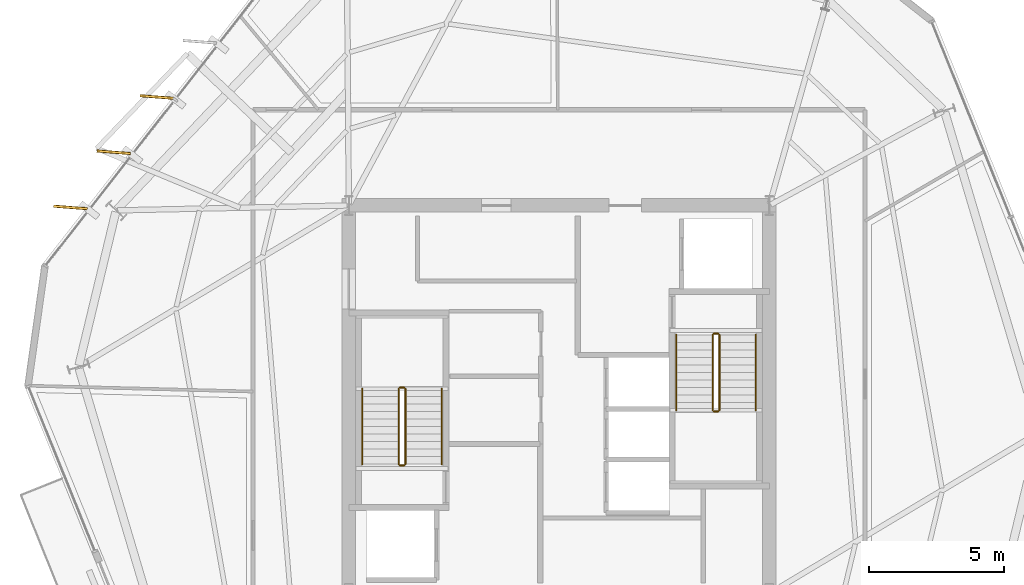
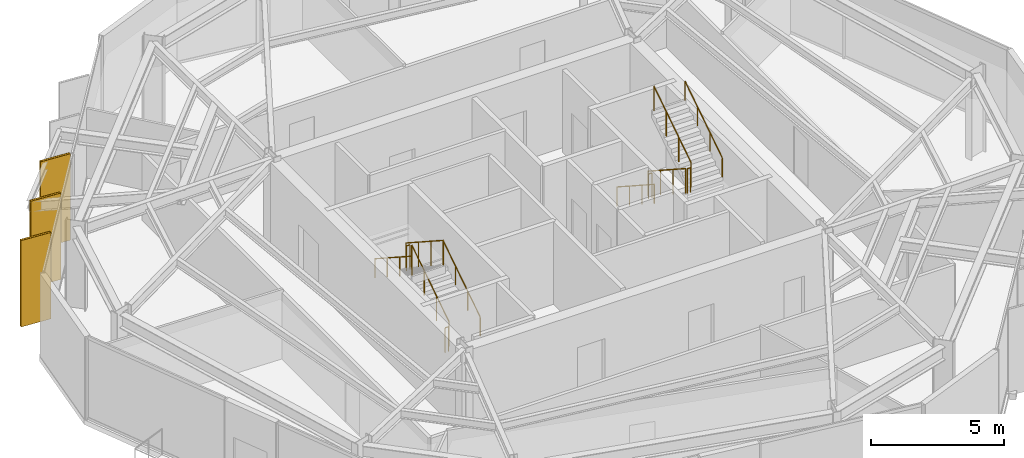
# One storey, part 10 of 11: 12 railings, 3 coverings, 3 shading devices.
"""IFC4 building model written with IfcOpenShell, lengths in metres."""

from ifc_helpers import new_model, si_unit, direction, frame, origin, origin_2d, place, context, subcontext, project, spatial, rectangle, circle, extrude, material, layer, layer_set, type_object, element, save


model = new_model("IFC4")

# Units and contexts
model_context = context("Model", 3, precision=1e-05, world=origin(), true_north=direction((0.0, 1.0)))
body_context = subcontext(model_context, "Body", "Model", "MODEL_VIEW")
ifc_project = project(units=[si_unit("LENGTHUNIT", "METRE"), si_unit("AREAUNIT", "SQUARE_METRE"), si_unit("VOLUMEUNIT", "CUBIC_METRE"), si_unit("PLANEANGLEUNIT", "RADIAN"), si_unit("MASSUNIT", "GRAM", prefix="KILO")], contexts=[model_context])

# Site, building, storey
site_placement = place(None, origin())
site = spatial("IfcSite", under=ifc_project, at=site_placement, CompositionType="ELEMENT")
building_placement = place(site_placement, origin())
building = spatial("IfcBuilding", under=site, at=building_placement, Name="Kranzbogen Civic Tower", CompositionType="ELEMENT")
storey_placement = place(building_placement, frame((0.0, 0.0, 232.800048828125)))
storey = spatial("IfcBuildingStorey", under=building, at=storey_placement, Name="L56", CompositionType="ELEMENT", Elevation=232.800048828125)

# Coverings
ifc_material_1 = material(Name="Pale Anodised Aluminium", Category="aluminium")
ifc_layer = layer(ifc_material_1, 0.02490234375, Name="Pale Anodised Aluminium")
ifc_layer_set = layer_set([ifc_layer], Name="Pale Anodised Aluminium")
covering_type = type_object("IfcCoveringType", Name="Anodised Aluminium Vertical Fin Cladding 25 mm", PredefinedType="CLADDING", material=ifc_layer_set)
for number, where, z_axis, x_axis, name in (
    (1, (10.074951171875, 36.222900390625, -0.14013671875), (0.0, 0.0, 1.0), (-0.996963716769, 0.077867499294, 0.0), "L56 vertical fin pale-metal cladding F2-3"),
    (2, (8.47412109375, 34.174072265625, -0.14013671875), (0.0, 0.0, 1.0), (-0.996963716769, 0.077867499294, 0.0), "L56 vertical fin pale-metal cladding F2-4"),
    (3, (6.873046875, 32.125, -0.14013671875), (0.0, 0.0, 1.0), (-0.996963716769, 0.077867499294, 0.0), "L56 vertical fin pale-metal cladding F2-5"),
):
    element("IfcCovering", number, at=place(storey_placement, frame(where, z_axis=z_axis, x_axis=x_axis)), inside=storey, type_object=covering_type, Name=name, PredefinedType="CLADDING", context=body_context, shape_type="SweptSolid", body=[
        extrude(rectangle(XDim=1.25, YDim=0.10009765625, at=origin_2d()), origin(), (0.0, 0.0, 1.0), 3.9599609375),
    ])

# Shading devices
ifc_material_2 = material(Name="Anodised Bronze Aluminium", Category="aluminium")
shading_device_type = type_object("IfcShadingDeviceType", Name="Anodised Bronze Vertical Facade Fin 1250x80", PredefinedType="USERDEFINED", material=ifc_material_2)
for number, where, z_axis, x_axis, name in (
    (4, (10.074951171875, 36.222900390625, -0.14013671875), (0.0, 0.0, 1.0), (-0.996963716769, 0.077867499294, 0.0), "L56 vertical exterior shading fin F2-3"),
    (5, (8.47412109375, 34.174072265625, -0.14013671875), (0.0, 0.0, 1.0), (-0.996963716769, 0.077867499294, 0.0), "L56 vertical exterior shading fin F2-4"),
    (6, (6.873046875, 32.125, -0.14013671875), (0.0, 0.0, 1.0), (-0.996963716769, 0.077867499294, 0.0), "L56 vertical exterior shading fin F2-5"),
):
    element("IfcShadingDevice", number, at=place(storey_placement, frame(where, z_axis=z_axis, x_axis=x_axis)), inside=storey, type_object=shading_device_type, Name=name, ObjectType="FIN", PredefinedType="USERDEFINED", context=body_context, shape_type="SweptSolid", body=[
        extrude(rectangle(XDim=1.25, YDim=0.080078125, at=origin_2d()), origin(), (0.0, 0.0, 1.0), 3.9599609375),
    ])

# Railings
ifc_material_3 = material(Name="Steel S355", Category="steel")
railing_type_1 = type_object("IfcRailingType", Name="Internal Stair and Void Steel Guardrail 1150", PredefinedType="GUARDRAIL", material=ifc_material_3)
railing_1_placement = place(storey_placement, frame((19.300048828125, 22.60009765625, 0.181884765625)))
element("IfcRailing", 7, at=railing_1_placement, inside=storey, type_object=railing_type_1, Name="L56 ST-T1 stair guard 1", PredefinedType="GUARDRAIL", context=body_context, shape_type="SweptSolid", body=[
    extrude(circle(Radius=0.02392578125, at=origin_2d()), frame((0.0, 0.0, 1.1259765625), z_axis=(0.0, 0.83868413941, 0.544618136222), x_axis=(-1.0, 0.0, 0.0)), (0.0, 0.0, 1.0), 3.33837890625),
    extrude(circle(Radius=0.02099609375, at=origin_2d()), origin(), (0.0, 0.0, 1.0), 1.101806640625),
    extrude(circle(Radius=0.02099609375, at=origin_2d()), frame((0.0, 0.933349609375, 0.60595703125)), (0.0, 0.0, 1.0), 1.101806640625),
    extrude(circle(Radius=0.02099609375, at=origin_2d()), frame((0.0, 1.866455078125, 1.212158203125)), (0.0, 0.0, 1.0), 1.101806640625),
    extrude(circle(Radius=0.02099609375, at=origin_2d()), frame((0.0, 2.7998046875, 1.818115234375)), (0.0, 0.0, 1.0), 1.101806640625),
])
railing_2_placement = place(storey_placement, frame((19.25, 25.449951171875, 2.0)))
element("IfcRailing", 8, at=railing_2_placement, inside=storey, type_object=railing_type_1, Name="L56 ST-T1 stair guard 2", PredefinedType="GUARDRAIL", context=body_context, shape_type="SweptSolid", body=[
    extrude(circle(Radius=0.02392578125, at=origin_2d()), frame((0.0, 0.0, 1.1259765625), z_axis=(-1.0, 0.0, 0.0), x_axis=(0.0, -1.0, 0.0)), (0.0, 0.0, 1.0), 0.14990234375),
    extrude(circle(Radius=0.02099609375, at=origin_2d()), origin(), (0.0, 0.0, 1.0), 1.101806640625),
    extrude(circle(Radius=0.02099609375, at=origin_2d()), frame((-0.14990234375, 0.0, 0.0)), (0.0, 0.0, 1.0), 1.101806640625),
])
railing_3_placement = place(storey_placement, frame((19.050048828125, 25.39990234375, 2.181884765625)))
element("IfcRailing", 9, at=railing_3_placement, inside=storey, type_object=railing_type_1, Name="L56 ST-T1 stair guard 3", PredefinedType="GUARDRAIL", context=body_context, shape_type="SweptSolid", body=[
    extrude(circle(Radius=0.02392578125, at=origin_2d()), frame((0.0, 0.0, 1.1259765625), z_axis=(0.0, -0.83868413941, 0.544618136222), x_axis=(1.0, 0.0, 0.0)), (0.0, 0.0, 1.0), 3.33837890625),
    extrude(circle(Radius=0.02099609375, at=origin_2d()), origin(), (0.0, 0.0, 1.0), 1.101806640625),
    extrude(circle(Radius=0.02099609375, at=origin_2d()), frame((0.0, -0.933349609375, 0.60595703125)), (0.0, 0.0, 1.0), 1.101806640625),
    extrude(circle(Radius=0.02099609375, at=origin_2d()), frame((0.0, -1.866455078125, 1.212158203125)), (0.0, 0.0, 1.0), 1.101806640625),
    extrude(circle(Radius=0.02099609375, at=origin_2d()), frame((0.0, -2.7998046875, 1.818115234375)), (0.0, 0.0, 1.0), 1.101806640625),
])
railing_4_placement = place(storey_placement, frame((19.25, 22.550048828125, 0.0)))
element("IfcRailing", 10, at=railing_4_placement, inside=storey, type_object=railing_type_1, Name="L56 ST-T1 stair guard 4", PredefinedType="GUARDRAIL", context=body_context, shape_type="SweptSolid", body=[
    extrude(circle(Radius=0.02392578125, at=origin_2d()), frame((0.0, 0.0, 1.1259765625), z_axis=(-1.0, 0.0, 0.0), x_axis=(0.0, -1.0, 0.0)), (0.0, 0.0, 1.0), 0.14990234375),
    extrude(circle(Radius=0.02099609375, at=origin_2d()), origin(), (0.0, 0.0, 1.0), 1.101806640625),
    extrude(circle(Radius=0.02099609375, at=origin_2d()), frame((-0.14990234375, 0.0, 0.0)), (0.0, 0.0, 1.0), 1.101806640625),
])
railing_5_placement = place(storey_placement, frame((30.699951171875, 27.39990234375, 0.181884765625)))
element("IfcRailing", 11, at=railing_5_placement, inside=storey, type_object=railing_type_1, Name="L56 ST-T2 stair guard 1", PredefinedType="GUARDRAIL", context=body_context, shape_type="SweptSolid", body=[
    extrude(circle(Radius=0.02392578125, at=origin_2d()), frame((0.0, 0.0, 1.1259765625), z_axis=(0.0, -0.83868413941, 0.544618136222), x_axis=(1.0, 0.0, 0.0)), (0.0, 0.0, 1.0), 3.33837890625),
    extrude(circle(Radius=0.02099609375, at=origin_2d()), origin(), (0.0, 0.0, 1.0), 1.101806640625),
    extrude(circle(Radius=0.02099609375, at=origin_2d()), frame((0.0, -0.933349609375, 0.60595703125)), (0.0, 0.0, 1.0), 1.101806640625),
    extrude(circle(Radius=0.02099609375, at=origin_2d()), frame((0.0, -1.866455078125, 1.212158203125)), (0.0, 0.0, 1.0), 1.101806640625),
    extrude(circle(Radius=0.02099609375, at=origin_2d()), frame((0.0, -2.7998046875, 1.818115234375)), (0.0, 0.0, 1.0), 1.101806640625),
])
railing_6_placement = place(storey_placement, frame((30.75, 24.550048828125, 2.0)))
element("IfcRailing", 12, at=railing_6_placement, inside=storey, type_object=railing_type_1, Name="L56 ST-T2 stair guard 2", PredefinedType="GUARDRAIL", context=body_context, shape_type="SweptSolid", body=[
    extrude(circle(Radius=0.02392578125, at=origin_2d()), frame((0.0, 0.0, 1.1259765625), z_axis=(1.0, 0.0, 0.0), x_axis=(0.0, 1.0, 0.0)), (0.0, 0.0, 1.0), 0.14990234375),
    extrude(circle(Radius=0.02099609375, at=origin_2d()), origin(), (0.0, 0.0, 1.0), 1.101806640625),
    extrude(circle(Radius=0.02099609375, at=origin_2d()), frame((0.14990234375, 0.0, 0.0)), (0.0, 0.0, 1.0), 1.101806640625),
])
railing_7_placement = place(storey_placement, frame((30.949951171875, 24.60009765625, 2.181884765625)))
element("IfcRailing", 13, at=railing_7_placement, inside=storey, type_object=railing_type_1, Name="L56 ST-T2 stair guard 3", PredefinedType="GUARDRAIL", context=body_context, shape_type="SweptSolid", body=[
    extrude(circle(Radius=0.02392578125, at=origin_2d()), frame((0.0, 0.0, 1.1259765625), z_axis=(0.0, 0.83868413941, 0.544618136222), x_axis=(-1.0, 0.0, 0.0)), (0.0, 0.0, 1.0), 3.33837890625),
    extrude(circle(Radius=0.02099609375, at=origin_2d()), origin(), (0.0, 0.0, 1.0), 1.101806640625),
    extrude(circle(Radius=0.02099609375, at=origin_2d()), frame((0.0, 0.933349609375, 0.60595703125)), (0.0, 0.0, 1.0), 1.101806640625),
    extrude(circle(Radius=0.02099609375, at=origin_2d()), frame((0.0, 1.866455078125, 1.212158203125)), (0.0, 0.0, 1.0), 1.101806640625),
    extrude(circle(Radius=0.02099609375, at=origin_2d()), frame((0.0, 2.7998046875, 1.818115234375)), (0.0, 0.0, 1.0), 1.101806640625),
])
railing_8_placement = place(storey_placement, frame((30.75, 27.449951171875, 0.0)))
element("IfcRailing", 14, at=railing_8_placement, inside=storey, type_object=railing_type_1, Name="L56 ST-T2 stair guard 4", PredefinedType="GUARDRAIL", context=body_context, shape_type="SweptSolid", body=[
    extrude(circle(Radius=0.02392578125, at=origin_2d()), frame((0.0, 0.0, 1.1259765625), z_axis=(1.0, 0.0, 0.0), x_axis=(0.0, 1.0, 0.0)), (0.0, 0.0, 1.0), 0.14990234375),
    extrude(circle(Radius=0.02099609375, at=origin_2d()), origin(), (0.0, 0.0, 1.0), 1.101806640625),
    extrude(circle(Radius=0.02099609375, at=origin_2d()), frame((0.14990234375, 0.0, 0.0)), (0.0, 0.0, 1.0), 1.101806640625),
])
railing_type_2 = type_object("IfcRailingType", Name="Tubular Stainless Stair Wall Handrail 900", PredefinedType="HANDRAIL", material=ifc_material_1)
railing_9_placement = place(storey_placement, frame((20.64990234375, 22.60009765625, 0.181884765625)))
element("IfcRailing", 15, at=railing_9_placement, inside=storey, type_object=railing_type_2, Name="L56 ST-T1 stair handrail 1", PredefinedType="HANDRAIL", context=body_context, shape_type="SweptSolid", body=[
    extrude(circle(Radius=0.02392578125, at=origin_2d()), frame((0.0, 0.0, 0.8759765625), z_axis=(0.0, 0.83868413941, 0.544618136222), x_axis=(-1.0, 0.0, 0.0)), (0.0, 0.0, 1.0), 3.33837890625),
    extrude(circle(Radius=0.02099609375, at=origin_2d()), origin(), (0.0, 0.0, 1.0), 0.851806640625),
    extrude(circle(Radius=0.02099609375, at=origin_2d()), frame((0.0, 0.933349609375, 0.60595703125)), (0.0, 0.0, 1.0), 0.851806640625),
    extrude(circle(Radius=0.02099609375, at=origin_2d()), frame((0.0, 1.866455078125, 1.212158203125)), (0.0, 0.0, 1.0), 0.851806640625),
    extrude(circle(Radius=0.02099609375, at=origin_2d()), frame((0.0, 2.7998046875, 1.818115234375)), (0.0, 0.0, 1.0), 0.851806640625),
])
for number, where, name in (
    (16, (17.699951171875, 25.39990234375, 2.181884765625), "L56 ST-T1 stair handrail 2"),
    (17, (29.35009765625, 27.39990234375, 0.181884765625), "L56 ST-T2 stair handrail 1"),
):
    element("IfcRailing", number, at=place(storey_placement, frame(where)), inside=storey, type_object=railing_type_2, Name=name, PredefinedType="HANDRAIL", context=body_context, shape_type="SweptSolid", body=[
        extrude(circle(Radius=0.02392578125, at=origin_2d()), frame((0.0, 0.0, 0.8759765625), z_axis=(0.0, -0.83868413941, 0.544618136222), x_axis=(1.0, 0.0, 0.0)), (0.0, 0.0, 1.0), 3.33837890625),
        extrude(circle(Radius=0.02099609375, at=origin_2d()), origin(), (0.0, 0.0, 1.0), 0.851806640625),
        extrude(circle(Radius=0.02099609375, at=origin_2d()), frame((0.0, -0.933349609375, 0.60595703125)), (0.0, 0.0, 1.0), 0.851806640625),
        extrude(circle(Radius=0.02099609375, at=origin_2d()), frame((0.0, -1.866455078125, 1.212158203125)), (0.0, 0.0, 1.0), 0.851806640625),
        extrude(circle(Radius=0.02099609375, at=origin_2d()), frame((0.0, -2.7998046875, 1.818115234375)), (0.0, 0.0, 1.0), 0.851806640625),
    ])
railing_10_placement = place(storey_placement, frame((32.300048828125, 24.60009765625, 2.181884765625)))
element("IfcRailing", 18, at=railing_10_placement, inside=storey, type_object=railing_type_2, Name="L56 ST-T2 stair handrail 2", PredefinedType="HANDRAIL", context=body_context, shape_type="SweptSolid", body=[
    extrude(circle(Radius=0.02392578125, at=origin_2d()), frame((0.0, 0.0, 0.8759765625), z_axis=(0.0, 0.83868413941, 0.544618136222), x_axis=(-1.0, 0.0, 0.0)), (0.0, 0.0, 1.0), 3.33837890625),
    extrude(circle(Radius=0.02099609375, at=origin_2d()), origin(), (0.0, 0.0, 1.0), 0.851806640625),
    extrude(circle(Radius=0.02099609375, at=origin_2d()), frame((0.0, 0.933349609375, 0.60595703125)), (0.0, 0.0, 1.0), 0.851806640625),
    extrude(circle(Radius=0.02099609375, at=origin_2d()), frame((0.0, 1.866455078125, 1.212158203125)), (0.0, 0.0, 1.0), 0.851806640625),
    extrude(circle(Radius=0.02099609375, at=origin_2d()), frame((0.0, 2.7998046875, 1.818115234375)), (0.0, 0.0, 1.0), 0.851806640625),
])

save(model, "model.ifc")
